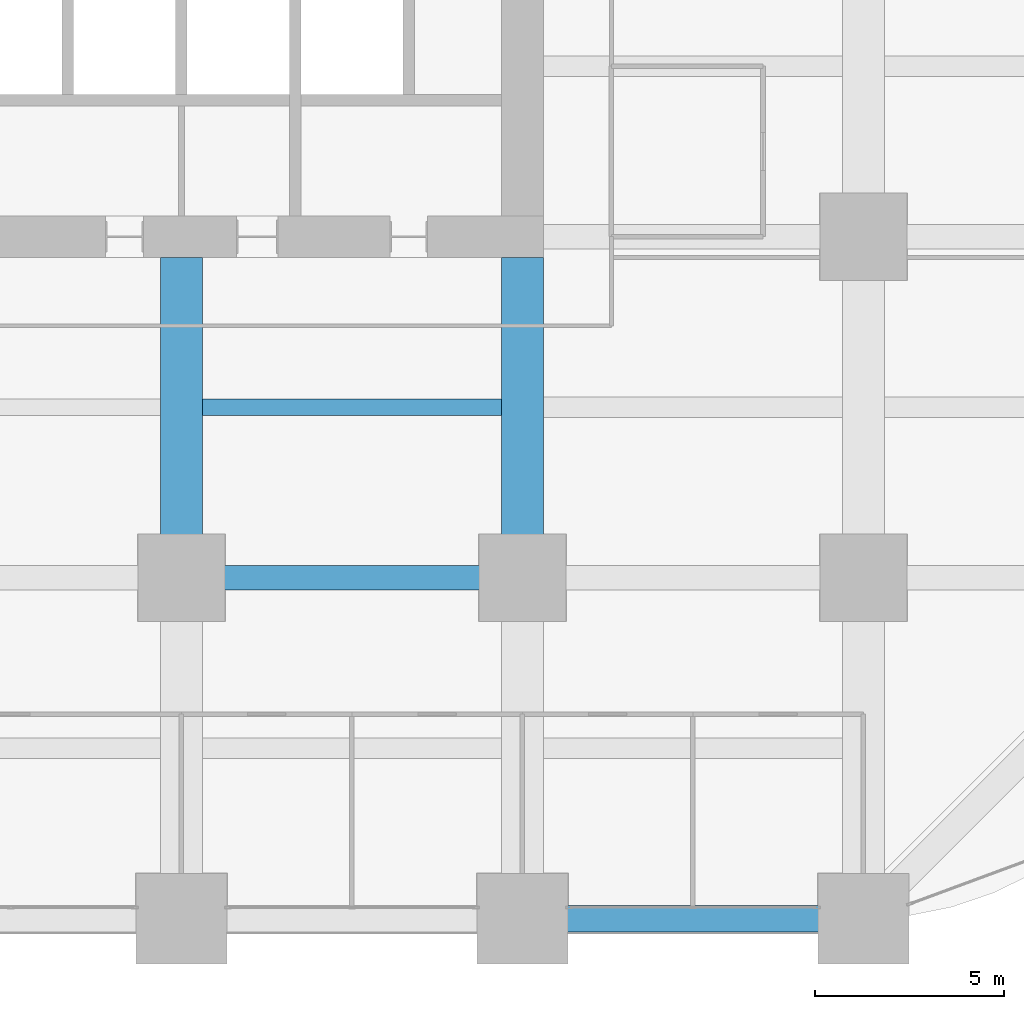
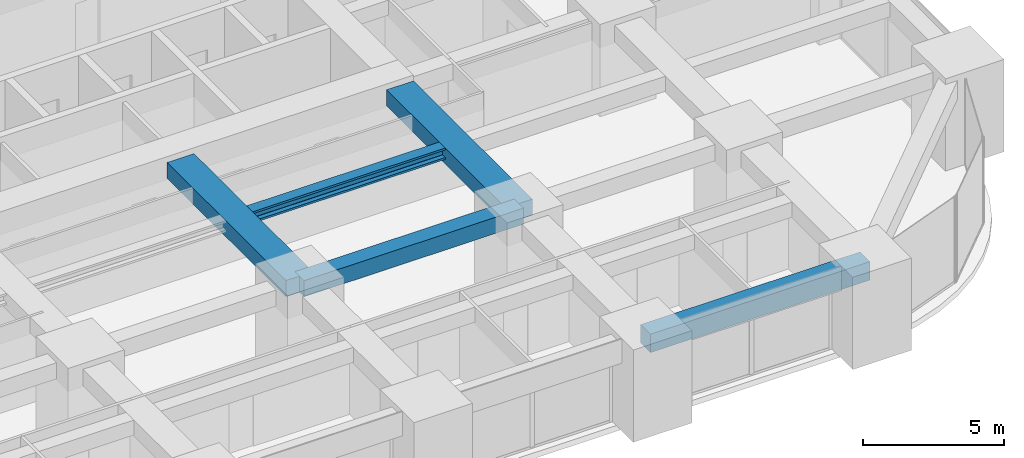
# One storey, part 14 of 45: 5 beams.
"""IFC4 building model written with IfcOpenShell, lengths in metres."""

from ifc_helpers import new_model, si_unit, direction, frame, origin, origin_2d, place, context, subcontext, project, spatial, rectangle, i_section, extrude, material, material_profile, profile_set, type_object, element, save


model = new_model("IFC4")

# Units and contexts
model_context = context("Model", 3, precision=1e-05, world=origin(), true_north=direction((0.0, 1.0)))
body_context = subcontext(model_context, "Body", "Model", "MODEL_VIEW")
ifc_project = project(units=[si_unit("LENGTHUNIT", "METRE"), si_unit("AREAUNIT", "SQUARE_METRE"), si_unit("VOLUMEUNIT", "CUBIC_METRE"), si_unit("PLANEANGLEUNIT", "RADIAN"), si_unit("MASSUNIT", "GRAM", prefix="KILO")], contexts=[model_context])

# Site, building, storey
site_placement = place(None, origin())
site = spatial("IfcSite", under=ifc_project, at=site_placement, CompositionType="ELEMENT")
building_placement = place(site_placement, origin())
building = spatial("IfcBuilding", under=site, at=building_placement, Name="Zorevar Civic Tower", CompositionType="ELEMENT")
storey_placement = place(building_placement, frame((0.0, 0.0, 39.800048828125)))
storey = spatial("IfcBuildingStorey", under=building, at=storey_placement, Name="L09", CompositionType="ELEMENT", Elevation=39.800048828125)

# Beams
ifc_material_1 = material(Name="Concrete C50/60", Category="concrete")
ifc_material_profile_1 = material_profile(ifc_material_1, rectangle(XDim=1.10009765625, YDim=0.699951171875, at=origin_2d()), Name="RC 1100x700")
ifc_profile_set_1 = profile_set([ifc_material_profile_1], Name="Concrete C50/60")
beam_type_1 = type_object("IfcBeamType", Name="Beam RC 1100x700", PredefinedType="BEAM", material=ifc_profile_set_1)
for number, where, z_axis, x_axis, name in (
    (1, (36.0, 9.0, 3.39990234375), (0.0, 1.0, 0.0), (-1.0, 0.0, 0.0), "Girder L10"),
    (2, (45.0, 9.0, 3.39990234375), (0.0, 1.0, 0.0), (-1.0, 0.0, 0.0), "Girder L10"),
):
    element("IfcBeam", number, at=place(storey_placement, frame(where, z_axis=z_axis, x_axis=x_axis)), inside=storey, type_object=beam_type_1, Name=name, PredefinedType="BEAM", context=body_context, shape_type="SweptSolid", body=[
        extrude(rectangle(XDim=1.10009765625, YDim=0.699951171875, at=origin_2d()), origin(), (0.0, 0.0, 1.0), 8.449951171875),
    ])
ifc_material_2 = material(Name="Concrete C50/60", Category="concrete")
ifc_material_profile_2 = material_profile(ifc_material_2, rectangle(XDim=0.64990234375, YDim=0.699951171875, at=origin_2d()), Name="RC 650x700")
ifc_profile_set_2 = profile_set([ifc_material_profile_2], Name="Concrete C50/60")
beam_type_2 = type_object("IfcBeamType", Name="Beam RC 650x700", PredefinedType="BEAM", material=ifc_profile_set_2)
beam_1_placement = place(storey_placement, frame((36.0, 9.0, 3.39990234375), z_axis=(1.0, 0.0, 0.0), x_axis=(0.0, 1.0, 0.0)))
element("IfcBeam", 3, at=beam_1_placement, inside=storey, type_object=beam_type_2, Name="Girder L10", PredefinedType="BEAM", context=body_context, shape_type="SweptSolid", body=[
    extrude(rectangle(XDim=0.64990234375, YDim=0.699951171875, at=origin_2d()), origin(), (0.0, 0.0, 1.0), 9.0),
])
ifc_material_3 = material(Name="Steel S460M (HISTAR 460)", Category="steel")
ifc_material_profile_3 = material_profile(ifc_material_3, i_section(OverallWidth=0.431884765625, OverallDepth=0.498046875, WebThickness=0.0556640625, FlangeThickness=0.0888671875, FilletRadius=0.014892578125, at=origin_2d()), Name="HD 400x744")
ifc_profile_set_3 = profile_set([ifc_material_profile_3], Name="Steel S460M (HISTAR 460)")
beam_type_3 = type_object("IfcBeamType", Name="Core bay beam HD 400x744", PredefinedType="BEAM", material=ifc_profile_set_3)
beam_2_placement = place(storey_placement, frame((36.550048828125, 13.5, 3.5009765625), z_axis=(1.0, 0.0, 0.0), x_axis=(0.0, 1.0, 0.0)))
element("IfcBeam", 4, at=beam_2_placement, inside=storey, type_object=beam_type_3, Name="Secondary beam L10", PredefinedType="BEAM", context=body_context, shape_type="SweptSolid", body=[
    extrude(i_section(OverallWidth=0.431884765625, OverallDepth=0.498046875, WebThickness=0.0556640625, FlangeThickness=0.0888671875, FilletRadius=0.014892578125, at=origin_2d()), origin(), (0.0, 0.0, 1.0), 7.89990234375),
])
ifc_material_4 = material(Name="Concrete C50/60", Category="concrete")
ifc_material_profile_4 = material_profile(ifc_material_4, rectangle(XDim=0.699951171875, YDim=0.800048828125, at=origin_2d()), Name="RC 700x800")
ifc_profile_set_4 = profile_set([ifc_material_profile_4], Name="Concrete C50/60")
beam_type_4 = type_object("IfcBeamType", Name="Edge beam RC 700x800", PredefinedType="SPANDREL", material=ifc_profile_set_4)
beam_3_placement = place(storey_placement, frame((45.0, 0.0, 3.349853515625), z_axis=(1.0, 0.0, 0.0), x_axis=(0.0, 1.0, 0.0)))
element("IfcBeam", 5, at=beam_3_placement, inside=storey, type_object=beam_type_4, Name="Edge beam L10", PredefinedType="SPANDREL", context=body_context, shape_type="SweptSolid", body=[
    extrude(rectangle(XDim=0.699951171875, YDim=0.800048828125, at=origin_2d()), origin(), (0.0, 0.0, 1.0), 9.0),
])

save(model, "model.ifc")
